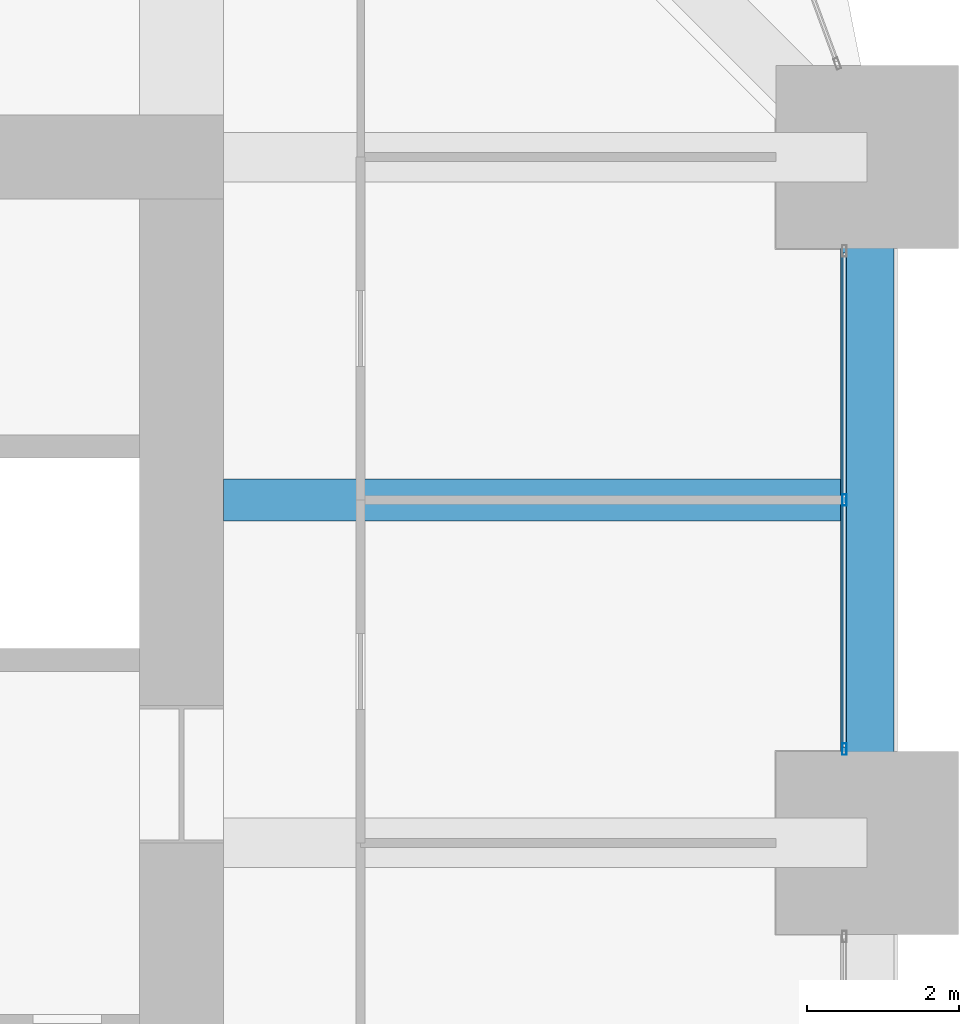
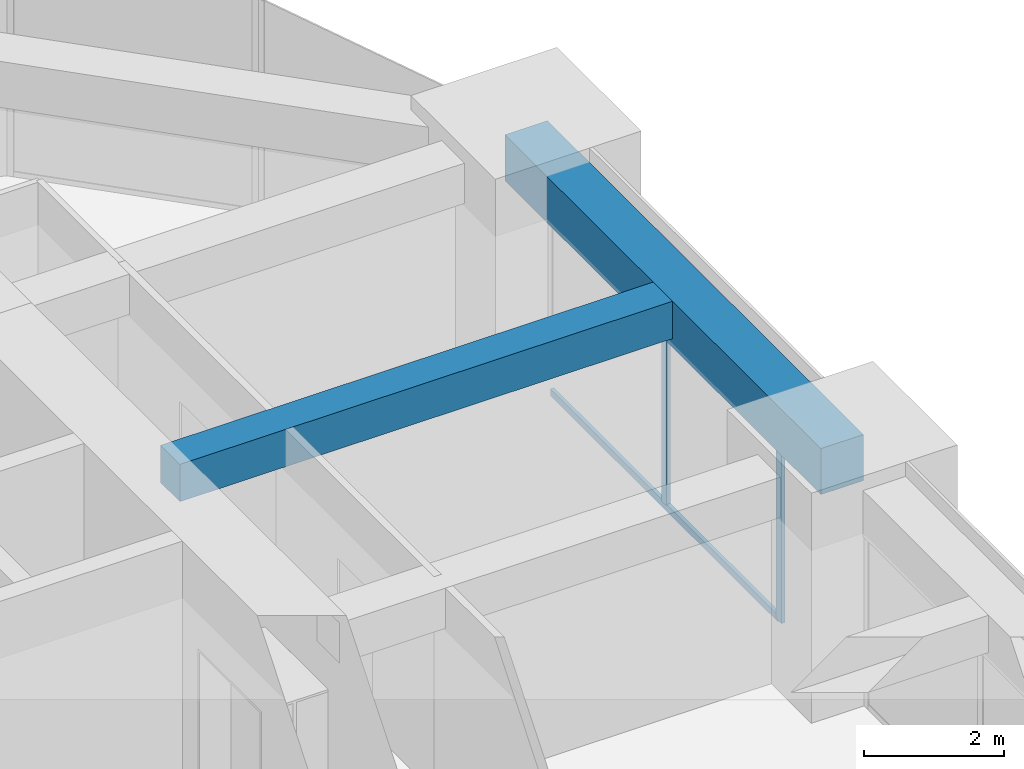
# One storey, part 19 of 33: 3 members, 2 beams, 1 element without a shape of its own.
"""IFC4 building model written with IfcOpenShell, lengths in metres."""

from ifc_helpers import new_model, si_unit, direction, frame, origin, origin_2d, place, context, subcontext, project, spatial, rectangle, hollow_rectangle, extrude, material, material_profile, profile_set, type_object, element, aggregate, save


model = new_model("IFC4")

# Units and contexts
model_context = context("Model", 3, precision=1e-05, world=origin(), true_north=direction((0.0, 1.0)))
body_context = subcontext(model_context, "Body", "Model", "MODEL_VIEW")
ifc_project = project(units=[si_unit("LENGTHUNIT", "METRE"), si_unit("AREAUNIT", "SQUARE_METRE"), si_unit("VOLUMEUNIT", "CUBIC_METRE"), si_unit("PLANEANGLEUNIT", "RADIAN"), si_unit("MASSUNIT", "GRAM", prefix="KILO")], contexts=[model_context])

# Site, building, storey
site_placement = place(None, origin())
site = spatial("IfcSite", under=ifc_project, at=site_placement, CompositionType="ELEMENT")
building_placement = place(site_placement, origin())
building = spatial("IfcBuilding", under=site, at=building_placement, Name="Zorevar Civic Tower", CompositionType="ELEMENT")
storey_placement = place(building_placement, frame((0.0, 0.0, 210.199951171875)))
storey = spatial("IfcBuildingStorey", under=building, at=storey_placement, Name="L51", CompositionType="ELEMENT", Elevation=210.199951171875)

# Beam
ifc_material_1 = material(Name="Concrete C50/60", Category="concrete")
ifc_material_profile_1 = material_profile(ifc_material_1, rectangle(XDim=0.550048828125, YDim=0.64990234375, at=origin_2d()), Name="RC 550x650")
ifc_profile_set_1 = profile_set([ifc_material_profile_1], Name="Concrete C50/60")
beam_type_1 = type_object("IfcBeamType", Name="Beam RC 550x650", PredefinedType="BEAM", material=ifc_profile_set_1)
beam_1_placement = place(storey_placement, frame((45.550048828125, 31.5, 3.425048828125), z_axis=(1.0, 0.0, 0.0), x_axis=(0.0, 1.0, 0.0)))
element("IfcBeam", 1, at=beam_1_placement, inside=storey, type_object=beam_type_1, Name="Secondary beam L52", PredefinedType="BEAM", context=body_context, shape_type="SweptSolid", body=[
    extrude(rectangle(XDim=0.550048828125, YDim=0.64990234375, at=origin_2d()), origin(), (0.0, 0.0, 1.0), 8.099853515625),
])

# Curtain wall, members
ifc_material_2 = material(Name="Dark grey solar-control glass in black aluminium frame", Category="aluminium")
curtain_wall_type = type_object("IfcCurtainWallType", Name="Curtain wall CW4 high zone", PredefinedType="NOTDEFINED", material=ifc_material_2)
curtain_wall_placement = place(storey_placement, origin())
curtain_wall = element("IfcCurtainWall", 2, at=curtain_wall_placement, inside=storey, type_object=curtain_wall_type, Name="CW4 L51", PredefinedType="NOTDEFINED")
ifc_material_3 = material(Name="Aluminium, black anodised", Category="aluminium")
ifc_material_profile_2 = material_profile(ifc_material_3, hollow_rectangle(XDim=0.06005859375, YDim=0.14990234375, WallThickness=0.00390625, at=origin_2d()), Name="AL 150x60x4")
ifc_profile_set_2 = profile_set([ifc_material_profile_2], Name="Aluminium, black anodised")
member_type_1 = type_object("IfcMemberType", Name="CW4 mullion AL 150x60x4", PredefinedType="MULLION", material=ifc_profile_set_2)
member_1_placement = place(storey_placement, frame((53.699951171875, 28.22998046875, 0.0), z_axis=(0.0, 0.0, 1.0), x_axis=(-1.0, 0.0, 0.0)))
member_1 = element("IfcMember", 3, at=member_1_placement, type_object=member_type_1, Name="CW4 mullion 1", PredefinedType="MULLION", context=body_context, shape_type="SweptSolid", body=[
    extrude(hollow_rectangle(XDim=0.06005859375, YDim=0.14990234375, WallThickness=0.00390625, at=origin_2d()), origin(), (0.0, 0.0, 1.0), 2.949951171875),
])
member_2_placement = place(storey_placement, frame((53.699951171875, 31.5, 0.06005859375), z_axis=(0.0, 0.0, 1.0), x_axis=(-1.0, 0.0, 0.0)))
member_2 = element("IfcMember", 4, at=member_2_placement, type_object=member_type_1, Name="CW4 mullion 2", PredefinedType="MULLION", context=body_context, shape_type="SweptSolid", body=[
    extrude(hollow_rectangle(XDim=0.06005859375, YDim=0.14990234375, WallThickness=0.00390625, at=origin_2d()), origin(), (0.0, 0.0, 1.0), 2.889892578125),
])
ifc_material_4 = material(Name="Aluminium, black anodised", Category="aluminium")
ifc_material_profile_3 = material_profile(ifc_material_4, hollow_rectangle(XDim=0.06005859375, YDim=0.1201171875, WallThickness=0.0029296875, at=origin_2d()), Name="AL 120x60x3")
ifc_profile_set_3 = profile_set([ifc_material_profile_3], Name="Aluminium, black anodised")
member_type_2 = type_object("IfcMemberType", Name="CW4 transom AL 120x60x3", PredefinedType="USERDEFINED", material=ifc_profile_set_3)
member_3_placement = place(storey_placement, frame((53.699951171875, 28.260009765625, 0.030029296875), z_axis=(0.0, 1.0, 0.0), x_axis=(-1.0, 0.0, 0.0)))
member_3 = element("IfcMember", 5, at=member_3_placement, type_object=member_type_2, Name="CW4 sill transom", ObjectType="TRANSOM", PredefinedType="USERDEFINED", context=body_context, shape_type="SweptSolid", body=[
    extrude(hollow_rectangle(XDim=0.06005859375, YDim=0.1201171875, WallThickness=0.0029296875, at=origin_2d()), origin(), (0.0, 0.0, 1.0), 6.47998046875),
])
aggregate(curtain_wall, [member_1, member_2, member_3])

# Beam
ifc_material_5 = material(Name="Concrete C50/60", Category="concrete")
ifc_material_profile_4 = material_profile(ifc_material_5, rectangle(XDim=0.699951171875, YDim=0.800048828125, at=origin_2d()), Name="RC 700x800")
ifc_profile_set_4 = profile_set([ifc_material_profile_4], Name="Concrete C50/60")
beam_type_2 = type_object("IfcBeamType", Name="Edge beam RC 700x800", PredefinedType="SPANDREL", material=ifc_profile_set_4)
beam_2_placement = place(storey_placement, frame((54.0, 27.0, 3.35009765625), z_axis=(0.0, 1.0, 0.0), x_axis=(-1.0, 0.0, 0.0)))
element("IfcBeam", 6, at=beam_2_placement, inside=storey, type_object=beam_type_2, Name="Edge beam L52", PredefinedType="SPANDREL", context=body_context, shape_type="SweptSolid", body=[
    extrude(rectangle(XDim=0.699951171875, YDim=0.800048828125, at=origin_2d()), origin(), (0.0, 0.0, 1.0), 9.0),
])

save(model, "model.ifc")
